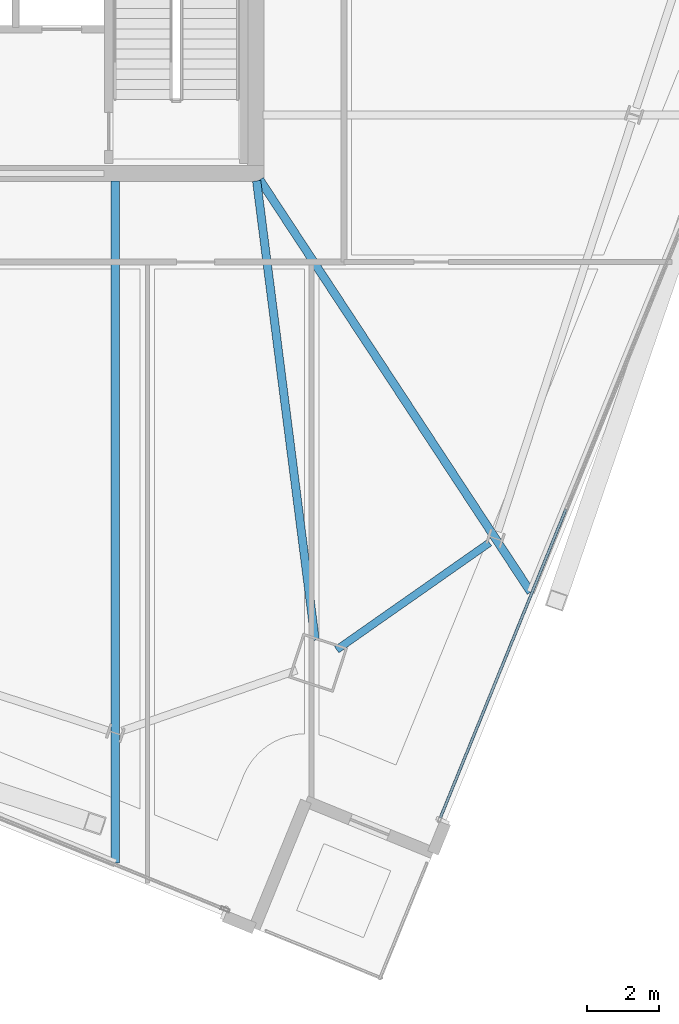
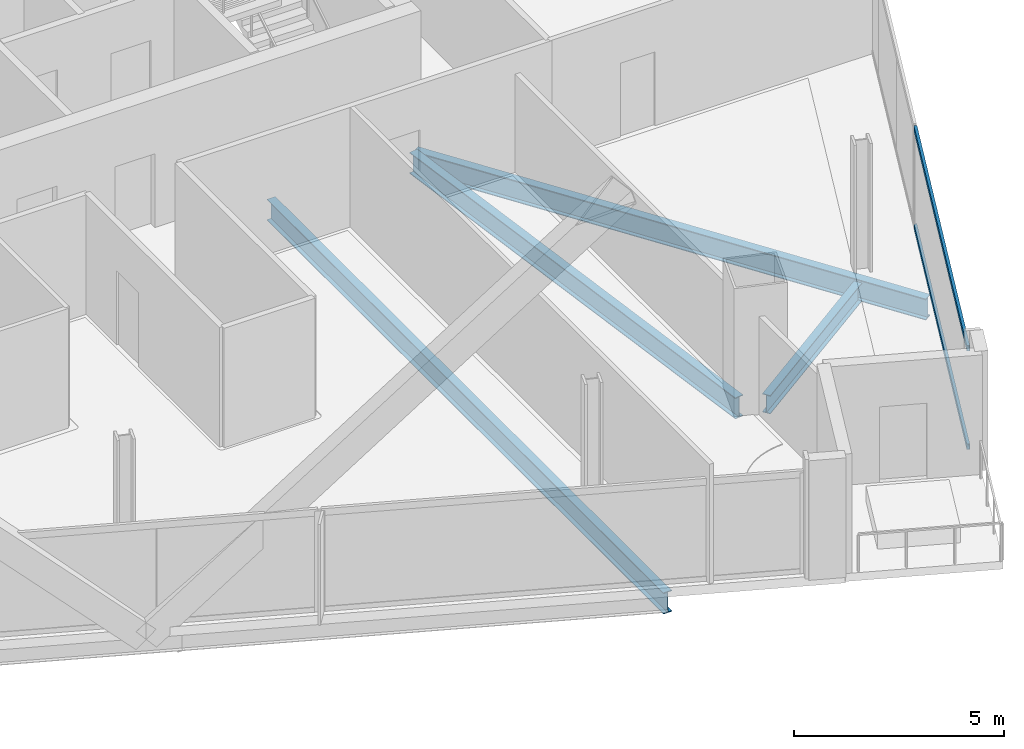
# One storey, part 10 of 31: 4 beams, 2 members, 1 element without a shape of its own.
"""IFC4 building model written with IfcOpenShell, lengths in metres."""

from ifc_helpers import new_model, si_unit, direction, frame, origin, origin_2d, place, context, subcontext, project, spatial, hollow_rectangle, i_section, extrude, material, material_profile, profile_set, type_object, element, aggregate, save


model = new_model("IFC4")

# Units and contexts
model_context = context("Model", 3, precision=1e-05, world=origin(), true_north=direction((0.0, 1.0)))
body_context = subcontext(model_context, "Body", "Model", "MODEL_VIEW")
ifc_project = project(units=[si_unit("LENGTHUNIT", "METRE"), si_unit("AREAUNIT", "SQUARE_METRE"), si_unit("VOLUMEUNIT", "CUBIC_METRE"), si_unit("PLANEANGLEUNIT", "RADIAN"), si_unit("MASSUNIT", "GRAM", prefix="KILO")], contexts=[model_context])

# Site, building, storey
site_placement = place(None, origin())
site = spatial("IfcSite", under=ifc_project, at=site_placement, CompositionType="ELEMENT")
building_placement = place(site_placement, origin())
building = spatial("IfcBuilding", under=site, at=building_placement, Name="Haldenkirk Collegiate Tower", CompositionType="ELEMENT")
storey_placement = place(building_placement, frame((0.0, 0.0, 256.199951171875)))
storey = spatial("IfcBuildingStorey", under=building, at=storey_placement, Name="L64", CompositionType="ELEMENT", Elevation=256.199951171875)

# Beams
ifc_material_1 = material(Name="Steel ASTM A992 Grade 50", Category="steel")
ifc_material_profile_1 = material_profile(ifc_material_1, i_section(OverallWidth=0.22998046875, OverallDepth=0.616943359375, WebThickness=0.01318359375, FlangeThickness=0.022216796875, at=origin_2d()), Name="W24X94")
ifc_profile_set_1 = profile_set([ifc_material_profile_1], Name="Steel ASTM A992 Grade 50")
beam_type_1 = type_object("IfcBeamType", Name="BM-GIRDER-W24X94", PredefinedType="BEAM", material=ifc_profile_set_1)
beam_1_placement = place(storey_placement, frame((46.6484375, 5.0693359375, -0.578369140625), z_axis=(-0.126462976839, 0.991971327957, 0.0), x_axis=(-0.991971327957, -0.126462976839, 0.0)))
element("IfcBeam", 1, at=beam_1_placement, inside=storey, type_object=beam_type_1, Name="L64 primary floor girder 01", PredefinedType="BEAM", context=body_context, shape_type="SweptSolid", body=[
    extrude(i_section(OverallWidth=0.22998046875, OverallDepth=0.616943359375, WebThickness=0.01318359375, FlangeThickness=0.022216796875, at=origin_2d()), origin(), (0.0, 0.0, 1.0), 12.830322265625),
])
beam_2_placement = place(storey_placement, frame((52.6181640625, 6.404296875, -0.578369140625), z_axis=(-0.549086289593, 0.835765664873, 0.0), x_axis=(-0.835765664873, -0.549086289593, 0.0)))
element("IfcBeam", 2, at=beam_2_placement, inside=storey, type_object=beam_type_1, Name="L64 primary floor girder 05", PredefinedType="BEAM", context=body_context, shape_type="SweptSolid", body=[
    extrude(i_section(OverallWidth=0.22998046875, OverallDepth=0.616943359375, WebThickness=0.01318359375, FlangeThickness=0.022216796875, at=origin_2d()), origin(), (0.0, 0.0, 1.0), 13.669189453125),
])
beam_3_placement = place(storey_placement, frame((41.111083984375, -1.107666015625, -0.578369140625), z_axis=(0.0, 1.0, 0.0), x_axis=(-1.0, 0.0, 0.0)))
element("IfcBeam", 3, at=beam_3_placement, inside=storey, type_object=beam_type_1, Name="L64 primary floor girder 16", PredefinedType="BEAM", context=body_context, shape_type="SweptSolid", body=[
    extrude(i_section(OverallWidth=0.22998046875, OverallDepth=0.616943359375, WebThickness=0.01318359375, FlangeThickness=0.022216796875, at=origin_2d()), origin(), (0.0, 0.0, 1.0), 18.902587890625),
])
ifc_material_profile_2 = material_profile(ifc_material_1, i_section(OverallWidth=0.2099609375, OverallDepth=0.537109375, WebThickness=0.010986328125, FlangeThickness=0.017333984375, at=origin_2d()), Name="W21X68")
ifc_profile_set_2 = profile_set([ifc_material_profile_2], Name="Steel ASTM A992 Grade 50")
beam_type_2 = type_object("IfcBeamType", Name="BM-SPANDREL-W21X68", PredefinedType="SPANDREL", material=ifc_profile_set_2)
beam_4_placement = place(storey_placement, frame((47.243896484375, 4.805908203125, -0.538330078125), z_axis=(0.818943373955, 0.573874333156, 0.0), x_axis=(-0.573874333156, 0.818943373955, 0.0)))
element("IfcBeam", 4, at=beam_4_placement, inside=storey, type_object=beam_type_2, Name="L64 perimeter spandrel beam 01", PredefinedType="SPANDREL", context=body_context, shape_type="SweptSolid", body=[
    extrude(i_section(OverallWidth=0.2099609375, OverallDepth=0.537109375, WebThickness=0.010986328125, FlangeThickness=0.017333984375, at=origin_2d()), origin(), (0.0, 0.0, 1.0), 5.16943359375),
])

# Curtain wall, members
ifc_material_2 = material(Name="Anodised architectural bronze aluminium", Category="aluminium")
curtain_wall_type = type_object("IfcCurtainWallType", Name="CW-SYS2-CONCAVE", PredefinedType="USERDEFINED", material=ifc_material_2)
curtain_wall_placement = place(storey_placement, origin())
curtain_wall = element("IfcCurtainWall", 5, at=curtain_wall_placement, inside=storey, type_object=curtain_wall_type, Name="L64 South concave recessed bronze-anodised curtain wall", ObjectType="UNITISED CURTAIN WALL", PredefinedType="USERDEFINED")
ifc_material_profile_3 = material_profile(ifc_material_2, hollow_rectangle(XDim=0.074951171875, YDim=0.159912109375, WallThickness=0.0048828125, at=origin_2d()), Name="CW-TRN-02")
ifc_profile_set_3 = profile_set([ifc_material_profile_3], Name="Anodised architectural bronze aluminium")
member_type = type_object("IfcMemberType", Name="CW-TRN-02", PredefinedType="USERDEFINED", material=ifc_profile_set_3)
member_1_placement = place(storey_placement, frame((53.596435546875, 8.701416015625, 0.03759765625), z_axis=(-0.377020663893, -0.926204847211, 0.0), x_axis=(0.926204847211, -0.377020663893, 0.0)))
member_1 = element("IfcMember", 6, at=member_1_placement, type_object=member_type, Name="CW-02 transom 4.1", ObjectType="TRANSOM", PredefinedType="USERDEFINED", context=body_context, shape_type="SweptSolid", body=[
    extrude(hollow_rectangle(XDim=0.074951171875, YDim=0.159912109375, WallThickness=0.0048828125, at=origin_2d()), origin(), (0.0, 0.0, 1.0), 9.2373046875),
])
member_2_placement = place(storey_placement, frame((53.596435546875, 8.701416015625, 2.900634765625), z_axis=(-0.377020663893, -0.926204847211, 0.0), x_axis=(0.926204847211, -0.377020663893, 0.0)))
member_2 = element("IfcMember", 7, at=member_2_placement, type_object=member_type, Name="CW-02 transom 4.2", ObjectType="TRANSOM", PredefinedType="USERDEFINED", context=body_context, shape_type="SweptSolid", body=[
    extrude(hollow_rectangle(XDim=0.074951171875, YDim=0.159912109375, WallThickness=0.0048828125, at=origin_2d()), origin(), (0.0, 0.0, 1.0), 9.2373046875),
])
aggregate(curtain_wall, [member_1, member_2])

save(model, "model.ifc")
